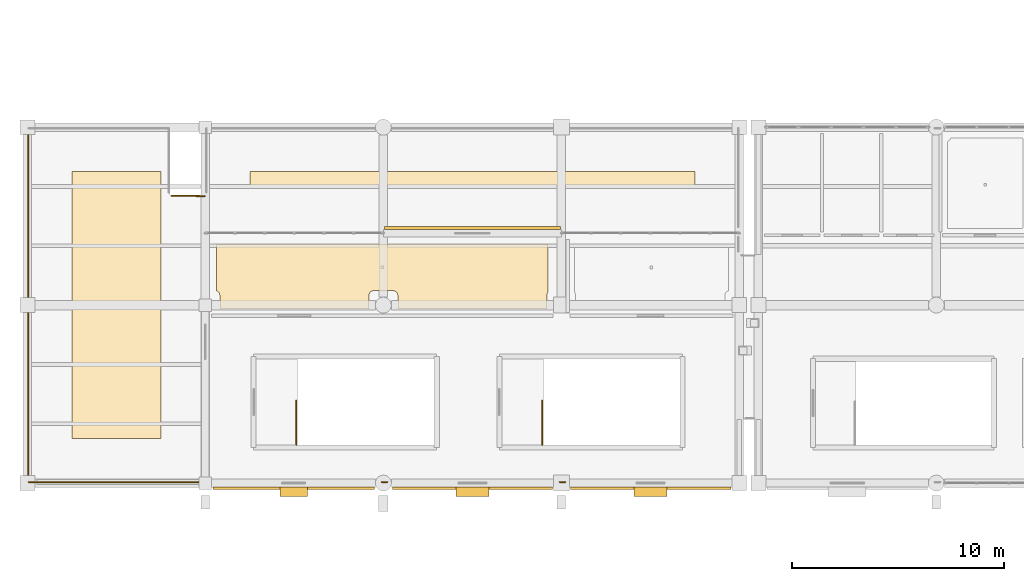
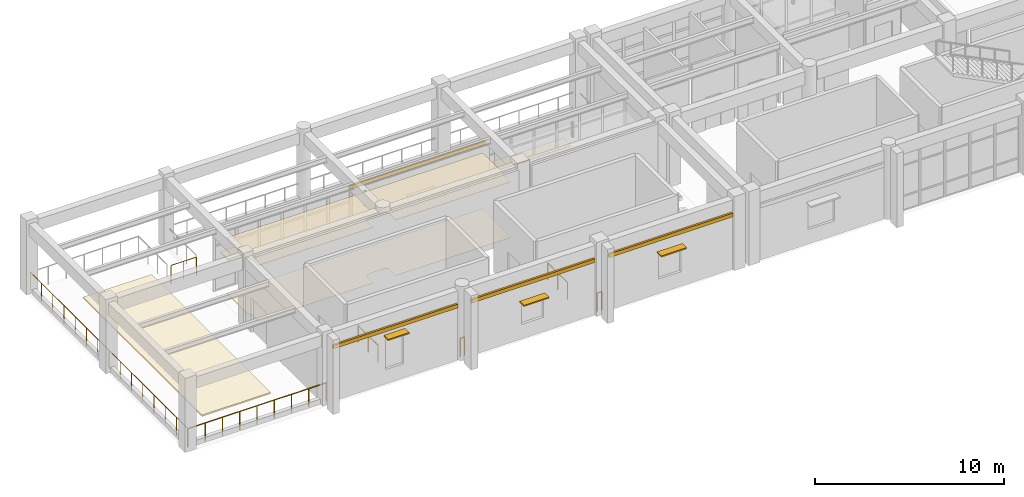
# One storey, part 94 of 111: 8 coverings, 7 railings, 3 shading devices.
"""IFC4 building model written with IfcOpenShell, lengths in metres."""

import ifcopenshell
import ifcopenshell.guid

model = None  # the IFC model being written
_history = None  # IfcOwnerHistory: only IFC2X3 demands one
_inside = {}  # id of a spatial element -> (the spatial element, [elements in it])
_under = {}  # id of a project, library or spatial element -> (it, [spatial elements below it])
_declared = {}  # id of a project -> (the project, [libraries it declares])
_typed = {}  # id of a type object -> (the type object, [elements of that type])
_made_of = {}  # id of a material, layer set ... -> (it, [elements and type objects made of it])


def new_model(schema):
    """Start an empty IFC model of exactly this schema.

    Asked for "IFC4X3", IfcOpenShell would pick the latest addendum, in which some entities
    have other attributes; the version numbers below select the first issue.
    IFC2X3 requires an IfcOwnerHistory on every rooted entity: one is made here for all.
    """
    global model, _history
    if schema == "IFC4X3":
        model = ifcopenshell.file(schema_version=(4, 3, 0, 0))
    else:
        model = ifcopenshell.file(schema=schema)
    _inside.clear()
    _under.clear()
    _declared.clear()
    _typed.clear()
    _made_of.clear()
    _history = None
    if model.schema == "IFC2X3":
        org = make("IfcOrganization", Name="unknown")
        user = make(
            "IfcPersonAndOrganization",
            ThePerson=make("IfcPerson", FamilyName="unknown"),
            TheOrganization=org,
        )
        app = make(
            "IfcApplication",
            ApplicationDeveloper=org,
            Version="unknown",
            ApplicationFullName="unknown",
            ApplicationIdentifier="unknown",
        )
        _history = make(
            "IfcOwnerHistory",
            OwningUser=user,
            OwningApplication=app,
            ChangeAction="ADDED",
            CreationDate=0,
        )
    return model


def make(cls, **values):
    """One entity of the class cls with the attributes given. An attribute that is None is left unset."""
    return model.create_entity(
        cls, **{name: value for name, value in values.items() if value is not None}
    )


def rooted(cls, **values):
    """An entity with a GlobalId (a new one), such as an element, a storey or a relation."""
    return make(cls, GlobalId=ifcopenshell.guid.new(), OwnerHistory=_history, **values)


def si_unit(unit_type, name, prefix=None):
    """IfcSIUnit, for example si_unit("LENGTHUNIT", "METRE", prefix="MILLI")."""
    return make("IfcSIUnit", UnitType=unit_type, Prefix=prefix, Name=name)


def assignment(units):
    """IfcUnitAssignment: the units of a project."""
    return None if units is None else make("IfcUnitAssignment", Units=units)


def point(xyz):
    """IfcCartesianPoint."""
    return None if xyz is None else make("IfcCartesianPoint", Coordinates=xyz)


def direction(xyz):
    """IfcDirection."""
    return None if xyz is None else make("IfcDirection", DirectionRatios=xyz)


def frame(location, z_axis=None, x_axis=None):
    """IfcAxis2Placement3D, a coordinate frame: its origin and axes. An axis left out is left unset."""
    return make(
        "IfcAxis2Placement3D",
        Location=point(location),
        Axis=direction(z_axis),
        RefDirection=direction(x_axis),
    )


def frame_2d(location, x_axis=None):
    """IfcAxis2Placement2D, a coordinate frame in the plane: its origin and x axis."""
    return make(
        "IfcAxis2Placement2D", Location=point(location), RefDirection=direction(x_axis)
    )


def origin():
    """The frame at (0, 0, 0) with its axes left unset."""
    return frame((0.0, 0.0, 0.0))


def origin_2d():
    """The frame at (0, 0) in the plane with its x axis left unset."""
    return frame_2d((0.0, 0.0))


def place(relative_to, where):
    """IfcLocalPlacement: puts the frame where relative to a parent placement (None: the world)."""
    return make(
        "IfcLocalPlacement", PlacementRelTo=relative_to, RelativePlacement=where
    )


def context(
    kind, dimensions, precision=None, world=None, true_north=None, identifier=None
):
    """IfcGeometricRepresentationContext, for example the 3D "Model" context."""
    return make(
        "IfcGeometricRepresentationContext",
        ContextIdentifier=identifier,
        ContextType=kind,
        CoordinateSpaceDimension=dimensions,
        Precision=precision,
        WorldCoordinateSystem=world,
        TrueNorth=true_north,
    )


def subcontext(parent, identifier, kind, view, scale=None):
    """IfcGeometricRepresentationSubContext, for example "Body" below "Model"."""
    return make(
        "IfcGeometricRepresentationSubContext",
        ContextIdentifier=identifier,
        ContextType=kind,
        ParentContext=parent,
        TargetScale=scale,
        TargetView=view,
    )


def project(units=None, contexts=None):
    """IfcProject with its units and contexts."""
    return rooted(
        "IfcProject",
        Name="project",
        RepresentationContexts=contexts,
        UnitsInContext=assignment(units),
    )


def spatial(cls, under=None, at=None, **own):
    """A site, building, storey or space (cls), placed at a placement, below another one or the project."""
    s = rooted(cls, ObjectPlacement=at, **own)
    if under is not None:
        _under.setdefault(under.id(), (under, []))[1].append(s)
    return s


def polyline(points):
    """IfcPolyline through the points."""
    return make("IfcPolyline", Points=[point(p) for p in points])


def profile(cls, at=None, kind="AREA", **sizes):
    """A parametric profile (cls). Its sizes go by their IFC names, for example OverallWidth=200.0."""
    return make(cls, ProfileType=kind, Position=at, **sizes)


def rectangle(**sizes):
    """IfcRectangleProfileDef."""
    return profile("IfcRectangleProfileDef", **sizes)


def circle(**sizes):
    """IfcCircleProfileDef."""
    return profile("IfcCircleProfileDef", **sizes)


def outline(outer, holes=None, kind="AREA"):
    """IfcArbitraryClosedProfileDef: a profile drawn as a closed curve; with holes, ...WithVoids."""
    if holes is None:
        return make("IfcArbitraryClosedProfileDef", ProfileType=kind, OuterCurve=outer)
    return make(
        "IfcArbitraryProfileDefWithVoids",
        ProfileType=kind,
        OuterCurve=outer,
        InnerCurves=holes,
    )


def extrude(swept, where, along, depth):
    """IfcExtrudedAreaSolid: the profile swept, set in the frame where, extruded along a direction by depth."""
    return make(
        "IfcExtrudedAreaSolid",
        SweptArea=swept,
        Position=where,
        ExtrudedDirection=direction(along),
        Depth=depth,
    )


def shape(context_of_items, identifier, shape_type, items):
    """IfcShapeRepresentation: the items that make up one representation, for example the "Body"."""
    return make(
        "IfcShapeRepresentation",
        ContextOfItems=context_of_items,
        RepresentationIdentifier=identifier,
        RepresentationType=shape_type,
        Items=items,
    )


def material(Name=None, Category=None):
    """IfcMaterial."""
    return make("IfcMaterial", Name=Name, Category=Category)


def layer(
    of_material, thickness, ventilated=None, Name=None, Category=None, Priority=None
):
    """IfcMaterialLayer: one layer of a wall or slab, of a material (None: an air gap)."""
    return make(
        "IfcMaterialLayer",
        Material=of_material,
        LayerThickness=thickness,
        IsVentilated=ventilated,
        Name=Name,
        Category=Category,
        Priority=Priority,
    )


def layer_set(layers, Name=None):
    """IfcMaterialLayerSet."""
    return make("IfcMaterialLayerSet", MaterialLayers=layers, LayerSetName=Name)


def made_of(thing, what):
    """Note that an element or type object is made of a material, layer set ...; save() writes the relation."""
    if what is not None:
        _made_of.setdefault(what.id(), (what, []))[1].append(thing)
    return thing


def type_object(cls, material=None, **own):
    """A type object (cls), such as IfcWallType, which elements share."""
    return made_of(rooted(cls, **own), material)


def element(
    cls,
    number,
    at=None,
    inside=None,
    cuts=None,
    type_object=None,
    material=None,
    context=None,
    identifier="Body",
    shape_type=None,
    held_by="IfcProductDefinitionShape",
    body=None,
    shapes=None,
    **own,
):
    """One element of the class cls, such as IfcWall. Its Tag is "e" and its number.

    at: its placement. inside: the storey or other place that contains it. cuts: it is an
    opening in that element (IfcRelVoidsElement). A single representation is given by context,
    identifier, shape_type and body (its items); several are given by shapes. held_by: the class
    of the entity that holds the representations. save() writes the other relations.
    """
    e = rooted(cls, Tag="e%d" % number, ObjectPlacement=at, **own)
    if body is not None:
        shapes = [shape(context, identifier, shape_type, body)]
    if shapes is not None:
        e.Representation = make(held_by, Representations=shapes)
    if inside is not None:
        _inside.setdefault(inside.id(), (inside, []))[1].append(e)
    if cuts is not None:
        rooted(
            "IfcRelVoidsElement", RelatingBuildingElement=cuts, RelatedOpeningElement=e
        )
    if type_object is not None:
        _typed.setdefault(type_object.id(), (type_object, []))[1].append(e)
    return made_of(e, material)


def aggregate(whole, parts):
    """IfcRelAggregates: a whole, such as a stair, and the parts it consists of."""
    return rooted("IfcRelAggregates", RelatingObject=whole, RelatedObjects=parts)


def save(model, path):
    """Write the relations noted so far, then the file.

    IfcRelAggregates (storeys below a building ...), IfcRelContainedInSpatialStructure (elements
    in a storey), IfcRelDefinesByType, IfcRelAssociatesMaterial and IfcRelDeclares: one each for
    every whole, place, type object, material and project.
    """
    for whole, parts in _under.values():
        aggregate(whole, parts)
    for where, things in _inside.values():
        rooted(
            "IfcRelContainedInSpatialStructure",
            RelatedElements=things,
            RelatingStructure=where,
        )
    for kind, things in _typed.values():
        rooted("IfcRelDefinesByType", RelatedObjects=things, RelatingType=kind)
    for what, things in _made_of.values():
        rooted("IfcRelAssociatesMaterial", RelatedObjects=things, RelatingMaterial=what)
    for by, libraries in _declared.values():
        rooted("IfcRelDeclares", RelatingContext=by, RelatedDefinitions=libraries)
    model.write(path)


model = new_model("IFC4")

# Units and contexts
model_context = context("Model", 3, precision=1e-05, world=origin(), true_north=direction((0.0, 1.0)))
body_context = subcontext(model_context, "Body", "Model", "MODEL_VIEW")
ifc_project = project(units=[si_unit("LENGTHUNIT", "METRE"), si_unit("AREAUNIT", "SQUARE_METRE"), si_unit("VOLUMEUNIT", "CUBIC_METRE"), si_unit("PLANEANGLEUNIT", "RADIAN"), si_unit("MASSUNIT", "GRAM", prefix="KILO")], contexts=[model_context])

# Site, building, storey
site_placement = place(None, origin())
site = spatial("IfcSite", under=ifc_project, at=site_placement, CompositionType="ELEMENT")
building_placement = place(site_placement, origin())
building = spatial("IfcBuilding", under=site, at=building_placement, Name="Canglan Escarpment Cableway Terminal", CompositionType="ELEMENT")
storey_placement = place(building_placement, frame((0.0, 0.0, 4.800048828125)))
storey = spatial("IfcBuildingStorey", under=building, at=storey_placement, Name="L01", CompositionType="ELEMENT", Elevation=4.800048828125)

# Coverings
ifc_material_1 = material(Name="Moisture-resistant acoustic gypsum ceiling", Category="gypsum")
ifc_layer_1 = layer(ifc_material_1, 0.030029296875, Name="Moisture-resistant acoustic gypsum ceiling")
ifc_layer_set_1 = layer_set([ifc_layer_1], Name="Moisture-resistant acoustic gypsum ceiling")
covering_type_1 = type_object("IfcCoveringType", Name="COV-CEIL-GYPSUM-30", PredefinedType="CEILING", material=ifc_layer_set_1)
covering_1_placement = place(storey_placement, frame((0.0, 0.0, 3.599853515625)))
element("IfcCovering", 1, at=covering_1_placement, inside=storey, type_object=covering_type_1, Name="Alpine Geology Exhibition Gallery suspended acoustic ceiling", PredefinedType="CEILING", context=body_context, shape_type="SweptSolid", body=[
    extrude(outline(polyline([(16.933349609375, 17.067138671875), (16.931396484375, 17.06787109375), (16.9296875, 17.06884765625), (16.92822265625, 17.06982421875), (16.9267578125, 17.071044921875), (16.92529296875, 17.072265625), (16.92431640625, 17.07373046875), (16.923095703125, 17.0751953125), (16.922119140625, 17.076904296875), (16.92138671875, 17.07861328125), (16.9208984375, 17.080322265625), (16.92041015625, 17.082275390625), (16.920166015625, 17.083984375), (16.919921875, 17.0859375), (16.919921875, 19.260009765625), (16.920166015625, 19.261962890625), (16.92041015625, 19.263916015625), (16.9208984375, 19.265869140625), (16.92138671875, 19.267578125), (16.92236328125, 19.269287109375), (16.92333984375, 19.27099609375), (16.924560546875, 19.272705078125), (16.92578125, 19.274169921875), (16.92724609375, 19.275390625), (16.928955078125, 19.276611328125), (16.9306640625, 19.277587890625), (16.932373046875, 19.278564453125), (16.93408203125, 19.279052734375), (16.93603515625, 19.279541015625), (16.93798828125, 19.27978515625), (16.93994140625, 19.280029296875), (32.56005859375, 19.280029296875), (32.56201171875, 19.27978515625), (32.56396484375, 19.279541015625), (32.56591796875, 19.279052734375), (32.567626953125, 19.278564453125), (32.5693359375, 19.277587890625), (32.571044921875, 19.276611328125), (32.57275390625, 19.275390625), (32.57421875, 19.274169921875), (32.575439453125, 19.272705078125), (32.57666015625, 19.27099609375), (32.57763671875, 19.269287109375), (32.57861328125, 19.267578125), (32.5791015625, 19.265869140625), (32.57958984375, 19.263916015625), (32.579833984375, 19.261962890625), (32.580078125, 19.260009765625), (32.580078125, 17.018310546875), (32.579833984375, 17.0166015625), (32.57958984375, 17.0146484375), (32.5791015625, 17.012939453125), (32.57861328125, 17.01123046875), (32.577880859375, 17.009521484375), (32.576904296875, 17.0078125), (32.575927734375, 17.00634765625), (32.57470703125, 17.0048828125), (32.5703125, 17.0), (32.569580078125, 16.999267578125), (32.557373046875, 16.982666015625), (32.556884765625, 16.981689453125), (32.546142578125, 16.964111328125), (32.5458984375, 16.96337890625), (32.537109375, 16.944580078125), (32.53662109375, 16.943603515625), (32.529541015625, 16.92431640625), (32.529296875, 16.92333984375), (32.5244140625, 16.9033203125), (32.524169921875, 16.90234375), (32.52099609375, 16.882080078125), (32.52099609375, 16.881103515625), (32.52001953125, 16.860107421875), (32.52001953125, 16.85986328125), (32.52001953125, 16.239990234375), (32.52001953125, 16.238037109375), (32.51953125, 16.236083984375), (32.51904296875, 16.234130859375), (32.5185546875, 16.232421875), (32.517578125, 16.230712890625), (32.5166015625, 16.22900390625), (32.515380859375, 16.227294921875), (32.51416015625, 16.225830078125), (32.5126953125, 16.224609375), (32.510986328125, 16.223388671875), (32.509521484375, 16.222412109375), (32.5078125, 16.221435546875), (32.505859375, 16.220947265625), (32.50390625, 16.220458984375), (32.501953125, 16.22021484375), (32.5, 16.219970703125), (25.5, 16.219970703125), (25.498046875, 16.22021484375), (25.49609375, 16.220458984375), (25.494140625, 16.220947265625), (25.4921875, 16.221435546875), (25.490478515625, 16.222412109375), (25.489013671875, 16.223388671875), (25.4873046875, 16.224609375), (25.48583984375, 16.225830078125), (25.484619140625, 16.227294921875), (25.4833984375, 16.22900390625), (25.482421875, 16.230712890625), (25.4814453125, 16.232421875), (25.48095703125, 16.234130859375), (25.48046875, 16.236083984375), (25.47998046875, 16.238037109375), (25.47998046875, 16.239990234375), (25.47998046875, 16.85986328125), (25.47998046875, 16.860107421875), (25.47900390625, 16.881103515625), (25.47900390625, 16.882080078125), (25.475830078125, 16.90234375), (25.4755859375, 16.9033203125), (25.470703125, 16.92333984375), (25.470458984375, 16.92431640625), (25.46337890625, 16.943603515625), (25.462890625, 16.944580078125), (25.4541015625, 16.96337890625), (25.453857421875, 16.964111328125), (25.443115234375, 16.981689453125), (25.442626953125, 16.982666015625), (25.430419921875, 16.999267578125), (25.4296875, 17.0), (25.416015625, 17.01513671875), (25.415283203125, 17.015869140625), (25.39990234375, 17.02978515625), (25.399169921875, 17.030517578125), (25.382568359375, 17.04248046875), (25.3818359375, 17.043212890625), (25.364013671875, 17.0537109375), (25.36328125, 17.05419921875), (25.344482421875, 17.06298828125), (25.34375, 17.0634765625), (25.32421875, 17.0703125), (25.323486328125, 17.070556640625), (25.303466796875, 17.07568359375), (25.302490234375, 17.07568359375), (25.281982421875, 17.078857421875), (25.281005859375, 17.0791015625), (25.26025390625, 17.080078125), (25.259765625, 17.080078125), (24.340087890625, 17.080078125), (24.33984375, 17.080078125), (24.31884765625, 17.0791015625), (24.318115234375, 17.078857421875), (24.297607421875, 17.07568359375), (24.296630859375, 17.07568359375), (24.276611328125, 17.070556640625), (24.275634765625, 17.0703125), (24.25634765625, 17.0634765625), (24.25537109375, 17.06298828125), (24.23681640625, 17.05419921875), (24.23583984375, 17.0537109375), (24.21826171875, 17.043212890625), (24.21728515625, 17.04248046875), (24.20068359375, 17.030517578125), (24.2001953125, 17.02978515625), (24.184814453125, 17.015869140625), (24.18408203125, 17.01513671875), (24.17041015625, 17.0), (24.169677734375, 16.999267578125), (24.157470703125, 16.982666015625), (24.15673828125, 16.981689453125), (24.146240234375, 16.964111328125), (24.145751953125, 16.96337890625), (24.136962890625, 16.944580078125), (24.13671875, 16.943603515625), (24.129638671875, 16.92431640625), (24.12939453125, 16.92333984375), (24.124267578125, 16.9033203125), (24.124267578125, 16.90234375), (24.12109375, 16.882080078125), (24.12109375, 16.881103515625), (24.1201171875, 16.860107421875), (24.1201171875, 16.85986328125), (24.1201171875, 16.239990234375), (24.119873046875, 16.238037109375), (24.11962890625, 16.236083984375), (24.119140625, 16.234130859375), (24.118408203125, 16.232421875), (24.11767578125, 16.230712890625), (24.11669921875, 16.22900390625), (24.115478515625, 16.227294921875), (24.114013671875, 16.225830078125), (24.11279296875, 16.224609375), (24.111083984375, 16.223388671875), (24.109375, 16.222412109375), (24.107666015625, 16.221435546875), (24.105712890625, 16.220947265625), (24.10400390625, 16.220458984375), (24.10205078125, 16.22021484375), (24.10009765625, 16.219970703125), (17.10009765625, 16.219970703125), (17.097900390625, 16.22021484375), (17.09619140625, 16.220458984375), (17.09423828125, 16.220947265625), (17.09228515625, 16.221435546875), (17.090576171875, 16.222412109375), (17.0888671875, 16.223388671875), (17.08740234375, 16.224609375), (17.0859375, 16.225830078125), (17.08447265625, 16.227294921875), (17.08349609375, 16.22900390625), (17.08251953125, 16.230712890625), (17.08154296875, 16.232421875), (17.080810546875, 16.234130859375), (17.080322265625, 16.236083984375), (17.080078125, 16.238037109375), (17.080078125, 16.239990234375), (17.080078125, 16.85986328125), (17.080078125, 16.860107421875), (17.0791015625, 16.881103515625), (17.078857421875, 16.882080078125), (17.07568359375, 16.90234375), (17.07568359375, 16.9033203125), (17.070556640625, 16.92333984375), (17.0703125, 16.92431640625), (17.0634765625, 16.943603515625), (17.06298828125, 16.944580078125), (17.05419921875, 16.96337890625), (17.0537109375, 16.964111328125), (17.043212890625, 16.981689453125), (17.04248046875, 16.982666015625), (17.030517578125, 16.999267578125), (17.02978515625, 17.0), (17.015869140625, 17.01513671875), (17.01513671875, 17.015869140625), (17.0, 17.02978515625), (16.999267578125, 17.030517578125), (16.982666015625, 17.04248046875), (16.981689453125, 17.043212890625), (16.964111328125, 17.0537109375), (16.96337890625, 17.05419921875), (16.944580078125, 17.06298828125), (16.943603515625, 17.0634765625), (16.933349609375, 17.067138671875)])), origin(), (0.0, 0.0, 1.0), 0.030029296875),
])
ifc_material_2 = material(Name="Carved classical limestone cornice", Category="masonry")
ifc_layer_2 = layer(ifc_material_2, 0.1201171875, Name="Carved classical limestone cornice")
ifc_layer_set_2 = layer_set([ifc_layer_2], Name="Carved classical limestone cornice")
covering_type_2 = type_object("IfcCoveringType", Name="COV-CORNICE-STONE", PredefinedType="CLADDING", material=ifc_layer_set_2)
covering_2_placement = place(storey_placement, frame((20.5625, 7.760009765625, 3.48486328125), z_axis=(0.0, 0.0, 1.0), x_axis=(1.0, 0.0, 0.0)))
element("IfcCovering", 2, at=covering_2_placement, inside=storey, type_object=covering_type_2, Name="Classical carved limestone cornice CL-01", PredefinedType="CLADDING", context=body_context, shape_type="SweptSolid", body=[
    extrude(rectangle(XDim=7.625, YDim=0.1201171875, at=origin_2d()), origin(), (0.0, 0.0, 1.0), 0.239990234375),
])
covering_3_placement = place(storey_placement, frame((29.0, 7.760009765625, 3.48486328125), z_axis=(0.0, 0.0, 1.0), x_axis=(1.0, 0.0, 0.0)))
element("IfcCovering", 3, at=covering_3_placement, inside=storey, type_object=covering_type_2, Name="Classical carved limestone cornice CL-01", PredefinedType="CLADDING", context=body_context, shape_type="SweptSolid", body=[
    extrude(rectangle(XDim=7.550048828125, YDim=0.1201171875, at=origin_2d()), origin(), (0.0, 0.0, 1.0), 0.239990234375),
])
covering_4_placement = place(storey_placement, frame((37.41259765625, 7.760009765625, 3.48486328125), z_axis=(0.0, 0.0, 1.0), x_axis=(1.0, 0.0, 0.0)))
element("IfcCovering", 4, at=covering_4_placement, inside=storey, type_object=covering_type_2, Name="Classical carved limestone cornice CL-01", PredefinedType="CLADDING", context=body_context, shape_type="SweptSolid", body=[
    extrude(rectangle(XDim=7.574951171875, YDim=0.1201171875, at=origin_2d()), origin(), (0.0, 0.0, 1.0), 0.239990234375),
])
covering_5_placement = place(storey_placement, frame((29.0, 20.0400390625, 3.52490234375), z_axis=(0.0, 0.0, 1.0), x_axis=(-1.0, 0.0, 0.0)))
element("IfcCovering", 5, at=covering_5_placement, inside=storey, type_object=covering_type_2, Name="Classical carved limestone cornice CL-01", PredefinedType="CLADDING", context=body_context, shape_type="SweptSolid", body=[
    extrude(rectangle(XDim=8.300048828125, YDim=0.1201171875, at=origin_2d()), origin(), (0.0, 0.0, 1.0), 0.239990234375),
])
ifc_material_3 = material(Name="Polished mineral terrazzo flooring", Category="concrete")
ifc_layer_3 = layer(ifc_material_3, 0.02001953125, Name="Polished mineral terrazzo flooring")
ifc_layer_set_3 = layer_set([ifc_layer_3], Name="Polished mineral terrazzo flooring")
covering_type_3 = type_object("IfcCoveringType", Name="COV-FLR-TERRAZZO-20", PredefinedType="FLOORING", material=ifc_layer_set_3)
covering_6_placement = place(storey_placement, origin())
element("IfcCovering", 6, at=covering_6_placement, inside=storey, type_object=covering_type_3, Name="Alpine Geology Exhibition Gallery stone floor finish", PredefinedType="FLOORING", context=body_context, shape_type="SweptSolid", body=[
    extrude(outline(polyline([(16.933349609375, 17.067138671875), (16.931396484375, 17.06787109375), (16.9296875, 17.06884765625), (16.92822265625, 17.06982421875), (16.9267578125, 17.071044921875), (16.92529296875, 17.072265625), (16.92431640625, 17.07373046875), (16.923095703125, 17.0751953125), (16.922119140625, 17.076904296875), (16.92138671875, 17.07861328125), (16.9208984375, 17.080322265625), (16.92041015625, 17.082275390625), (16.920166015625, 17.083984375), (16.919921875, 17.0859375), (16.919921875, 19.260009765625), (16.920166015625, 19.261962890625), (16.92041015625, 19.263916015625), (16.9208984375, 19.265869140625), (16.92138671875, 19.267578125), (16.92236328125, 19.269287109375), (16.92333984375, 19.27099609375), (16.924560546875, 19.272705078125), (16.92578125, 19.274169921875), (16.92724609375, 19.275390625), (16.928955078125, 19.276611328125), (16.9306640625, 19.277587890625), (16.932373046875, 19.278564453125), (16.93408203125, 19.279052734375), (16.93603515625, 19.279541015625), (16.93798828125, 19.27978515625), (16.93994140625, 19.280029296875), (32.56005859375, 19.280029296875), (32.56201171875, 19.27978515625), (32.56396484375, 19.279541015625), (32.56591796875, 19.279052734375), (32.567626953125, 19.278564453125), (32.5693359375, 19.277587890625), (32.571044921875, 19.276611328125), (32.57275390625, 19.275390625), (32.57421875, 19.274169921875), (32.575439453125, 19.272705078125), (32.57666015625, 19.27099609375), (32.57763671875, 19.269287109375), (32.57861328125, 19.267578125), (32.5791015625, 19.265869140625), (32.57958984375, 19.263916015625), (32.579833984375, 19.261962890625), (32.580078125, 19.260009765625), (32.580078125, 17.018310546875), (32.579833984375, 17.0166015625), (32.57958984375, 17.0146484375), (32.5791015625, 17.012939453125), (32.57861328125, 17.01123046875), (32.577880859375, 17.009521484375), (32.576904296875, 17.0078125), (32.575927734375, 17.00634765625), (32.57470703125, 17.0048828125), (32.5703125, 17.0), (32.569580078125, 16.999267578125), (32.557373046875, 16.982666015625), (32.556884765625, 16.981689453125), (32.546142578125, 16.964111328125), (32.5458984375, 16.96337890625), (32.537109375, 16.944580078125), (32.53662109375, 16.943603515625), (32.529541015625, 16.92431640625), (32.529296875, 16.92333984375), (32.5244140625, 16.9033203125), (32.524169921875, 16.90234375), (32.52099609375, 16.882080078125), (32.52099609375, 16.881103515625), (32.52001953125, 16.860107421875), (32.52001953125, 16.85986328125), (32.52001953125, 16.239990234375), (32.52001953125, 16.238037109375), (32.51953125, 16.236083984375), (32.51904296875, 16.234130859375), (32.5185546875, 16.232421875), (32.517578125, 16.230712890625), (32.5166015625, 16.22900390625), (32.515380859375, 16.227294921875), (32.51416015625, 16.225830078125), (32.5126953125, 16.224609375), (32.510986328125, 16.223388671875), (32.509521484375, 16.222412109375), (32.5078125, 16.221435546875), (32.505859375, 16.220947265625), (32.50390625, 16.220458984375), (32.501953125, 16.22021484375), (32.5, 16.219970703125), (25.5, 16.219970703125), (25.498046875, 16.22021484375), (25.49609375, 16.220458984375), (25.494140625, 16.220947265625), (25.4921875, 16.221435546875), (25.490478515625, 16.222412109375), (25.489013671875, 16.223388671875), (25.4873046875, 16.224609375), (25.48583984375, 16.225830078125), (25.484619140625, 16.227294921875), (25.4833984375, 16.22900390625), (25.482421875, 16.230712890625), (25.4814453125, 16.232421875), (25.48095703125, 16.234130859375), (25.48046875, 16.236083984375), (25.47998046875, 16.238037109375), (25.47998046875, 16.239990234375), (25.47998046875, 16.85986328125), (25.47998046875, 16.860107421875), (25.47900390625, 16.881103515625), (25.47900390625, 16.882080078125), (25.475830078125, 16.90234375), (25.4755859375, 16.9033203125), (25.470703125, 16.92333984375), (25.470458984375, 16.92431640625), (25.46337890625, 16.943603515625), (25.462890625, 16.944580078125), (25.4541015625, 16.96337890625), (25.453857421875, 16.964111328125), (25.443115234375, 16.981689453125), (25.442626953125, 16.982666015625), (25.430419921875, 16.999267578125), (25.4296875, 17.0), (25.416015625, 17.01513671875), (25.415283203125, 17.015869140625), (25.39990234375, 17.02978515625), (25.399169921875, 17.030517578125), (25.382568359375, 17.04248046875), (25.3818359375, 17.043212890625), (25.364013671875, 17.0537109375), (25.36328125, 17.05419921875), (25.344482421875, 17.06298828125), (25.34375, 17.0634765625), (25.32421875, 17.0703125), (25.323486328125, 17.070556640625), (25.303466796875, 17.07568359375), (25.302490234375, 17.07568359375), (25.281982421875, 17.078857421875), (25.281005859375, 17.0791015625), (25.26025390625, 17.080078125), (25.259765625, 17.080078125), (24.340087890625, 17.080078125), (24.33984375, 17.080078125), (24.31884765625, 17.0791015625), (24.318115234375, 17.078857421875), (24.297607421875, 17.07568359375), (24.296630859375, 17.07568359375), (24.276611328125, 17.070556640625), (24.275634765625, 17.0703125), (24.25634765625, 17.0634765625), (24.25537109375, 17.06298828125), (24.23681640625, 17.05419921875), (24.23583984375, 17.0537109375), (24.21826171875, 17.043212890625), (24.21728515625, 17.04248046875), (24.20068359375, 17.030517578125), (24.2001953125, 17.02978515625), (24.184814453125, 17.015869140625), (24.18408203125, 17.01513671875), (24.17041015625, 17.0), (24.169677734375, 16.999267578125), (24.157470703125, 16.982666015625), (24.15673828125, 16.981689453125), (24.146240234375, 16.964111328125), (24.145751953125, 16.96337890625), (24.136962890625, 16.944580078125), (24.13671875, 16.943603515625), (24.129638671875, 16.92431640625), (24.12939453125, 16.92333984375), (24.124267578125, 16.9033203125), (24.124267578125, 16.90234375), (24.12109375, 16.882080078125), (24.12109375, 16.881103515625), (24.1201171875, 16.860107421875), (24.1201171875, 16.85986328125), (24.1201171875, 16.239990234375), (24.119873046875, 16.238037109375), (24.11962890625, 16.236083984375), (24.119140625, 16.234130859375), (24.118408203125, 16.232421875), (24.11767578125, 16.230712890625), (24.11669921875, 16.22900390625), (24.115478515625, 16.227294921875), (24.114013671875, 16.225830078125), (24.11279296875, 16.224609375), (24.111083984375, 16.223388671875), (24.109375, 16.222412109375), (24.107666015625, 16.221435546875), (24.105712890625, 16.220947265625), (24.10400390625, 16.220458984375), (24.10205078125, 16.22021484375), (24.10009765625, 16.219970703125), (17.10009765625, 16.219970703125), (17.097900390625, 16.22021484375), (17.09619140625, 16.220458984375), (17.09423828125, 16.220947265625), (17.09228515625, 16.221435546875), (17.090576171875, 16.222412109375), (17.0888671875, 16.223388671875), (17.08740234375, 16.224609375), (17.0859375, 16.225830078125), (17.08447265625, 16.227294921875), (17.08349609375, 16.22900390625), (17.08251953125, 16.230712890625), (17.08154296875, 16.232421875), (17.080810546875, 16.234130859375), (17.080322265625, 16.236083984375), (17.080078125, 16.238037109375), (17.080078125, 16.239990234375), (17.080078125, 16.85986328125), (17.080078125, 16.860107421875), (17.0791015625, 16.881103515625), (17.078857421875, 16.882080078125), (17.07568359375, 16.90234375), (17.07568359375, 16.9033203125), (17.070556640625, 16.92333984375), (17.0703125, 16.92431640625), (17.0634765625, 16.943603515625), (17.06298828125, 16.944580078125), (17.05419921875, 16.96337890625), (17.0537109375, 16.964111328125), (17.043212890625, 16.981689453125), (17.04248046875, 16.982666015625), (17.030517578125, 16.999267578125), (17.02978515625, 17.0), (17.015869140625, 17.01513671875), (17.01513671875, 17.015869140625), (17.0, 17.02978515625), (16.999267578125, 17.030517578125), (16.982666015625, 17.04248046875), (16.981689453125, 17.043212890625), (16.964111328125, 17.0537109375), (16.96337890625, 17.05419921875), (16.944580078125, 17.06298828125), (16.943603515625, 17.0634765625), (16.933349609375, 17.067138671875)])), origin(), (0.0, 0.0, 1.0), 0.02001953125),
])
ifc_material_4 = material(Name="Planted extensive sedum green roof assembly", Category="earth")
ifc_layer_4 = layer(ifc_material_4, 0.090087890625, Name="Planted extensive sedum green roof assembly")
ifc_layer_set_4 = layer_set([ifc_layer_4], Name="Planted extensive sedum green roof assembly")
covering_type_4 = type_object("IfcCoveringType", Name="COV-ROOF-GREEN", PredefinedType="ROOFING", material=ifc_layer_set_4)
covering_7_placement = place(storey_placement, frame((12.199951171875, 16.39990234375, 0.0), z_axis=(0.0, 0.0, 1.0), x_axis=(1.0, 0.0, 0.0)))
element("IfcCovering", 7, at=covering_7_placement, inside=storey, type_object=covering_type_4, Name="Planted extensive sedum green roof garden RF-G1", PredefinedType="ROOFING", context=body_context, shape_type="SweptSolid", body=[
    extrude(rectangle(XDim=4.199951171875, YDim=12.60009765625, at=origin_2d()), origin(), (0.0, 0.0, 1.0), 0.090087890625),
])
covering_8_placement = place(storey_placement, frame((29.0, 22.300048828125, 0.0), z_axis=(0.0, 0.0, 1.0), x_axis=(1.0, 0.0, 0.0)))
element("IfcCovering", 8, at=covering_8_placement, inside=storey, type_object=covering_type_4, Name="Planted extensive sedum green roof garden RF-G1", PredefinedType="ROOFING", context=body_context, shape_type="SweptSolid", body=[
    extrude(rectangle(XDim=21.0, YDim=0.800048828125, at=origin_2d()), origin(), (0.0, 0.0, 1.0), 0.090087890625),
])

# Railings
ifc_material_5 = material(Name="Carved limestone and anodized bronze balustrade", Category="masonry")
railing_type_1 = type_object("IfcRailingType", Name="RL-EXT-BALUSTRADE-1200", PredefinedType="BALUSTRADE", material=ifc_material_5)
railing_1_placement = place(storey_placement, frame((8.050048828125, 8.050048828125, 0.0)))
element("IfcRailing", 9, at=railing_1_placement, inside=storey, type_object=railing_type_1, Name="Classical terrace balustrade guard GD-01 (L01)", PredefinedType="BALUSTRADE", context=body_context, shape_type="SweptSolid", body=[
    extrude(circle(Radius=0.02392578125, at=origin_2d()), frame((0.0, 0.0, 1.17578125), z_axis=(0.0, 1.0, 0.0), x_axis=(-1.0, 0.0, 0.0)), (0.0, 0.0, 1.0), 16.697998046875),
    extrude(circle(Radius=0.02099609375, at=origin_2d()), origin(), (0.0, 0.0, 1.0), 1.15185546875),
    extrude(circle(Radius=0.02099609375, at=origin_2d()), frame((0.0, 1.192626953125, 0.0)), (0.0, 0.0, 1.0), 1.15185546875),
    extrude(circle(Radius=0.02099609375, at=origin_2d()), frame((0.0, 2.385498046875, 0.0)), (0.0, 0.0, 1.0), 1.15185546875),
    extrude(circle(Radius=0.02099609375, at=origin_2d()), frame((0.0, 3.578125, 0.0)), (0.0, 0.0, 1.0), 1.15185546875),
    extrude(circle(Radius=0.02099609375, at=origin_2d()), frame((0.0, 4.770751953125, 0.0)), (0.0, 0.0, 1.0), 1.15185546875),
    extrude(circle(Radius=0.02099609375, at=origin_2d()), frame((0.0, 5.963623046875, 0.0)), (0.0, 0.0, 1.0), 1.15185546875),
    extrude(circle(Radius=0.02099609375, at=origin_2d()), frame((0.0, 7.15625, 0.0)), (0.0, 0.0, 1.0), 1.15185546875),
    extrude(circle(Radius=0.02099609375, at=origin_2d()), frame((0.0, 8.34912109375, 0.0)), (0.0, 0.0, 1.0), 1.15185546875),
    extrude(circle(Radius=0.02099609375, at=origin_2d()), frame((0.0, 9.541748046875, 0.0)), (0.0, 0.0, 1.0), 1.15185546875),
    extrude(circle(Radius=0.02099609375, at=origin_2d()), frame((0.0, 10.734375, 0.0)), (0.0, 0.0, 1.0), 1.15185546875),
    extrude(circle(Radius=0.02099609375, at=origin_2d()), frame((0.0, 11.92724609375, 0.0)), (0.0, 0.0, 1.0), 1.15185546875),
    extrude(circle(Radius=0.02099609375, at=origin_2d()), frame((0.0, 13.119873046875, 0.0)), (0.0, 0.0, 1.0), 1.15185546875),
    extrude(circle(Radius=0.02099609375, at=origin_2d()), frame((0.0, 14.3125, 0.0)), (0.0, 0.0, 1.0), 1.15185546875),
    extrude(circle(Radius=0.02099609375, at=origin_2d()), frame((0.0, 15.50537109375, 0.0)), (0.0, 0.0, 1.0), 1.15185546875),
    extrude(circle(Radius=0.02099609375, at=origin_2d()), frame((0.0, 16.697998046875, 0.0)), (0.0, 0.0, 1.0), 1.15185546875),
])
railing_2_placement = place(storey_placement, frame((14.8193359375, 21.55615234375, 0.0)))
element("IfcRailing", 10, at=railing_2_placement, inside=storey, type_object=railing_type_1, Name="Classical terrace balustrade guard GD-01 (L01)", PredefinedType="BALUSTRADE", context=body_context, shape_type="SweptSolid", body=[
    extrude(circle(Radius=0.02392578125, at=origin_2d()), frame((0.0, 0.0, 1.17578125), z_axis=(0.999992254954, -0.003935737779, 0.0), x_axis=(0.003935737779, 0.999992254954, 0.0)), (0.0, 0.0, 1.0), 1.55078125),
    extrude(circle(Radius=0.02099609375, at=origin_2d()), origin(), (0.0, 0.0, 1.0), 1.15185546875),
    extrude(circle(Radius=0.02099609375, at=origin_2d()), frame((0.775390625, -0.0029296875, 0.0)), (0.0, 0.0, 1.0), 1.15185546875),
    extrude(circle(Radius=0.02099609375, at=origin_2d()), frame((1.55078125, -0.006103515625, 0.0)), (0.0, 0.0, 1.0), 1.15185546875),
])
for number, where, name in (
    (11, (33.385009765625, 8.050048828125, 0.0), "Classical terrace balustrade guard GD-01 (L01)"),
    (12, (24.985107421875, 8.050048828125, 0.0), "Classical terrace balustrade guard GD-01 (L01)"),
):
    element("IfcRailing", number, at=place(storey_placement, frame(where)), inside=storey, type_object=railing_type_1, Name=name, PredefinedType="BALUSTRADE", context=body_context, shape_type="SweptSolid", body=[
        extrude(circle(Radius=0.02392578125, at=origin_2d()), frame((0.0, 0.0, 1.17578125), z_axis=(-1.0, 0.0, 0.0), x_axis=(0.0, -1.0, 0.0)), (0.0, 0.0, 1.0), 0.27001953125),
        extrude(circle(Radius=0.02099609375, at=origin_2d()), origin(), (0.0, 0.0, 1.0), 1.15185546875),
        extrude(circle(Radius=0.02099609375, at=origin_2d()), frame((-0.27001953125, 0.0, 0.0)), (0.0, 0.0, 1.0), 1.15185546875),
    ])
railing_3_placement = place(storey_placement, frame((16.510009765625, 8.050048828125, 0.0)))
element("IfcRailing", 13, at=railing_3_placement, inside=storey, type_object=railing_type_1, Name="Classical terrace balustrade guard GD-01 (L01)", PredefinedType="BALUSTRADE", context=body_context, shape_type="SweptSolid", body=[
    extrude(circle(Radius=0.02392578125, at=origin_2d()), frame((0.0, 0.0, 1.17578125), z_axis=(-1.0, 0.0, 0.0), x_axis=(0.0, -1.0, 0.0)), (0.0, 0.0, 1.0), 8.4580078125),
    extrude(circle(Radius=0.02099609375, at=origin_2d()), origin(), (0.0, 0.0, 1.0), 1.15185546875),
    extrude(circle(Radius=0.02099609375, at=origin_2d()), frame((-1.05712890625, 0.0, 0.0)), (0.0, 0.0, 1.0), 1.15185546875),
    extrude(circle(Radius=0.02099609375, at=origin_2d()), frame((-2.114501953125, 0.0, 0.0)), (0.0, 0.0, 1.0), 1.15185546875),
    extrude(circle(Radius=0.02099609375, at=origin_2d()), frame((-3.171875, 0.0, 0.0)), (0.0, 0.0, 1.0), 1.15185546875),
    extrude(circle(Radius=0.02099609375, at=origin_2d()), frame((-4.22900390625, 0.0, 0.0)), (0.0, 0.0, 1.0), 1.15185546875),
    extrude(circle(Radius=0.02099609375, at=origin_2d()), frame((-5.2861328125, 0.0, 0.0)), (0.0, 0.0, 1.0), 1.15185546875),
    extrude(circle(Radius=0.02099609375, at=origin_2d()), frame((-6.343505859375, 0.0, 0.0)), (0.0, 0.0, 1.0), 1.15185546875),
    extrude(circle(Radius=0.02099609375, at=origin_2d()), frame((-7.40087890625, 0.0, 0.0)), (0.0, 0.0, 1.0), 1.15185546875),
    extrude(circle(Radius=0.02099609375, at=origin_2d()), frame((-8.4580078125, 0.0, 0.0)), (0.0, 0.0, 1.0), 1.15185546875),
])
ifc_material_6 = material(Name="Powder-coated steel stair balustrade", Category="steel")
railing_type_2 = type_object("IfcRailingType", Name="RL-STR-GUARD-1100", PredefinedType="BALUSTRADE", material=ifc_material_6)
for number, where, name in (
    (14, (20.699951171875, 9.800048828125, 0.0), "L01 ST-01 top well guard 1"),
    (15, (32.300048828125, 9.800048828125, 0.0), "L01 ST-02 top well guard 1"),
):
    element("IfcRailing", number, at=place(storey_placement, frame(where)), inside=storey, type_object=railing_type_2, Name=name, PredefinedType="BALUSTRADE", context=body_context, shape_type="SweptSolid", body=[
        extrude(circle(Radius=0.02392578125, at=origin_2d()), frame((0.0, 0.0, 1.076171875), z_axis=(0.0, 1.0, 0.0), x_axis=(-1.0, 0.0, 0.0)), (0.0, 0.0, 1.0), 2.099853515625),
        extrude(circle(Radius=0.02099609375, at=origin_2d()), origin(), (0.0, 0.0, 1.0), 1.052001953125),
        extrude(circle(Radius=0.02099609375, at=origin_2d()), frame((0.0, 1.0498046875, 0.0)), (0.0, 0.0, 1.0), 1.052001953125),
        extrude(circle(Radius=0.02099609375, at=origin_2d()), frame((0.0, 2.099853515625, 0.0)), (0.0, 0.0, 1.0), 1.052001953125),
    ])

# Shading devices
ifc_material_7 = material(Name="Anodized architectural bronze aluminium", Category="aluminium")
ifc_layer_5 = layer(ifc_material_7, 0.080078125, Name="Anodized architectural bronze aluminium")
ifc_layer_set_5 = layer_set([ifc_layer_5], Name="Anodized architectural bronze aluminium")
shading_device_type_1 = type_object("IfcShadingDeviceType", Name="SHD-BRONZE-LOUVRE-01", PredefinedType="JALOUSIE", material=ifc_layer_set_5)
shading_device_1_placement = place(storey_placement, frame((29.0, 7.594970703125, 2.419921875), z_axis=(0.0, 0.0, 1.0), x_axis=(1.0, 0.0, 0.0)))
element("IfcShadingDevice", 16, at=shading_device_1_placement, inside=storey, type_object=shading_device_type_1, Name="Anodized bronze sun-shading brise-soleil SD-01", PredefinedType="JALOUSIE", context=body_context, shape_type="SweptSolid", body=[
    extrude(rectangle(XDim=1.550048828125, YDim=0.449951171875, at=origin_2d()), origin(), (0.0, 0.0, 1.0), 0.080078125),
])
ifc_layer_6 = layer(ifc_material_7, 0.10009765625, Name="Anodized architectural bronze aluminium")
ifc_layer_set_6 = layer_set([ifc_layer_6], Name="Anodized architectural bronze aluminium")
shading_device_type_2 = type_object("IfcShadingDeviceType", Name="SHD-BRONZE-LOUVRE-02", PredefinedType="JALOUSIE", material=ifc_layer_set_6)
shading_device_2_placement = place(storey_placement, frame((20.5625, 7.594970703125, 3.119873046875), z_axis=(0.0, 0.0, 1.0), x_axis=(1.0, 0.0, 0.0)))
element("IfcShadingDevice", 17, at=shading_device_2_placement, inside=storey, type_object=shading_device_type_2, Name="Anodized bronze sun-shading brise-soleil SD-01", PredefinedType="JALOUSIE", context=body_context, shape_type="SweptSolid", body=[
    extrude(rectangle(XDim=1.300048828125, YDim=0.449951171875, at=origin_2d()), origin(), (0.0, 0.0, 1.0), 0.080078125),
])
shading_device_3_placement = place(storey_placement, frame((37.41259765625, 7.594970703125, 2.669921875), z_axis=(0.0, 0.0, 1.0), x_axis=(1.0, 0.0, 0.0)))
element("IfcShadingDevice", 18, at=shading_device_3_placement, inside=storey, type_object=shading_device_type_2, Name="Anodized bronze sun-shading brise-soleil SD-01", PredefinedType="JALOUSIE", context=body_context, shape_type="SweptSolid", body=[
    extrude(rectangle(XDim=1.550048828125, YDim=0.449951171875, at=origin_2d()), origin(), (0.0, 0.0, 1.0), 0.080078125),
])

save(model, "model.ifc")
